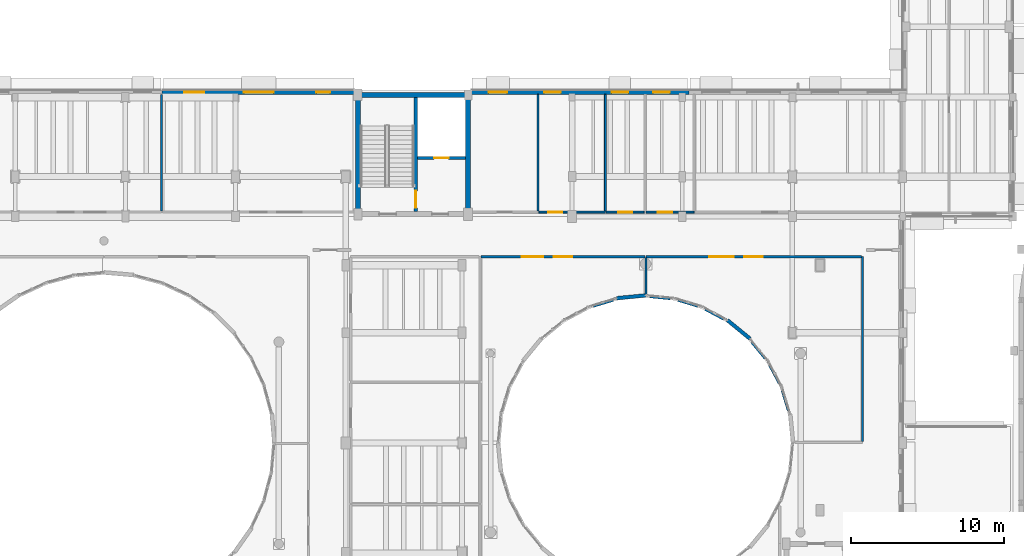
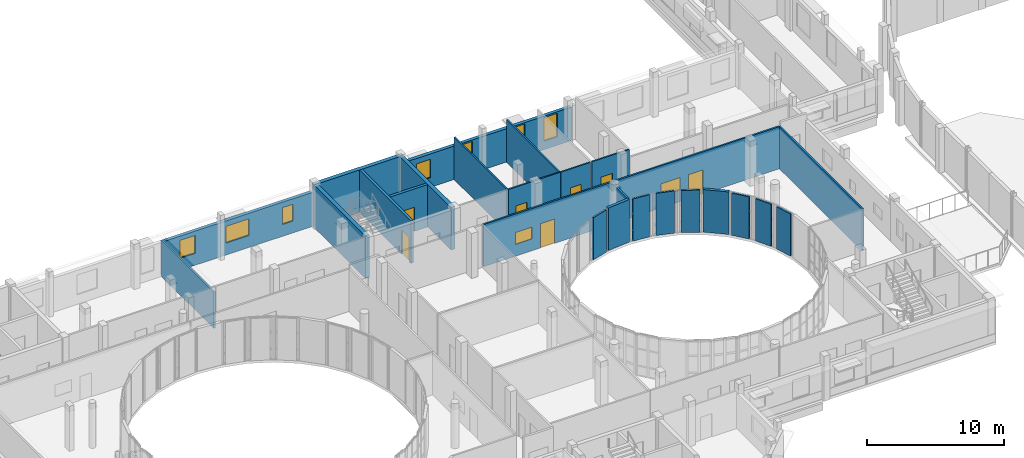
# One storey, part 71 of 89: 26 walls, 9 windows, 7 doors, 16 openings.
"""IFC4 building model written with IfcOpenShell, lengths in metres."""

from ifc_helpers import new_model, si_unit, direction, frame, frame_2d, origin, place, context, subcontext, project, spatial, rectangle, extrude, material, layer, layer_set, type_object, element, fill, save


model = new_model("IFC4")

# Units and contexts
model_context = context("Model", 3, precision=1e-05, world=origin(), true_north=direction((0.0, 1.0)))
body_context = subcontext(model_context, "Body", "Model", "MODEL_VIEW")
ifc_project = project(units=[si_unit("LENGTHUNIT", "METRE"), si_unit("AREAUNIT", "SQUARE_METRE"), si_unit("VOLUMEUNIT", "CUBIC_METRE"), si_unit("PLANEANGLEUNIT", "RADIAN"), si_unit("MASSUNIT", "GRAM", prefix="KILO")], contexts=[model_context])

# Site, building, storey
site_placement = place(None, origin())
site = spatial("IfcSite", under=ifc_project, at=site_placement, CompositionType="ELEMENT")
building_placement = place(site_placement, origin())
building = spatial("IfcBuilding", under=site, at=building_placement, Name="Kelanivale Promenade Academy", CompositionType="ELEMENT")
storey_placement = place(building_placement, frame((0.0, 0.0, 12.199951171875)))
storey = spatial("IfcBuildingStorey", under=building, at=storey_placement, Name="L03", CompositionType="ELEMENT", Elevation=12.199951171875)

# Walls
ifc_material_1 = material(Name="Concrete C40/50", Category="concrete")
ifc_layer_1 = layer(ifc_material_1, 0.330078125)
ifc_layer_set_1 = layer_set([ifc_layer_1], Name="Concrete C40/50")
wall_type_1 = type_object("IfcWallType", Name="CW-S1 Wall 330mm", PredefinedType="SHEAR", material=ifc_layer_set_1)
wall_1_placement = place(storey_placement, frame((79.8349609375, 79.550048828125, 0.0), z_axis=(0.0, 0.0, 1.0), x_axis=(1.0, 0.0, 0.0)))
element("IfcWall", 1, at=wall_1_placement, inside=storey, type_object=wall_type_1, Name="CORE-2 RC shear wall N L03", PredefinedType="SHEAR", context=body_context, shape_type="SweptSolid", body=[
    extrude(rectangle(XDim=7.530029296875, YDim=0.330078125, at=frame_2d((3.76513671875, 0.0))), origin(), (0.0, 0.0, 1.0), 3.780029296875),
])
for number, where, z_axis, x_axis, name in (
    (2, (80.0, 71.9150390625, 0.0), (0.0, 0.0, 1.0), (0.0, 1.0, 0.0), "CORE-2 RC shear wall W L03"),
    (3, (87.199951171875, 71.9150390625, 0.0), (0.0, 0.0, 1.0), (0.0, 1.0, 0.0), "CORE-2 RC shear wall E L03"),
):
    element("IfcWall", number, at=place(storey_placement, frame(where, z_axis=z_axis, x_axis=x_axis)), inside=storey, type_object=wall_type_1, Name=name, PredefinedType="SHEAR", context=body_context, shape_type="SweptSolid", body=[
        extrude(rectangle(XDim=7.469970703125, YDim=0.330078125, at=frame_2d((3.73486328125, 0.0))), origin(), (0.0, 0.0, 1.0), 3.780029296875),
    ])

# Wall, opening, door
ifc_layer_2 = layer(ifc_material_1, 0.22509765625)
ifc_layer_set_2 = layer_set([ifc_layer_2], Name="Concrete C40/50")
wall_type_2 = type_object("IfcWallType", Name="CW-S2 Wall 225mm", PredefinedType="SHEAR", material=ifc_layer_set_2)
wall_2_placement = place(storey_placement, frame((83.885009765625, 75.419921875, 0.0), z_axis=(0.0, 0.0, 1.0), x_axis=(1.0, 0.0, 0.0)))
wall_2 = element("IfcWall", 4, at=wall_2_placement, inside=storey, type_object=wall_type_2, Name="CORE-2 lift shaft front RC wall L03", PredefinedType="SHEAR", context=body_context, shape_type="SweptSolid", body=[
    extrude(rectangle(XDim=3.14990234375, YDim=0.22509765625, at=frame_2d((1.574951171875, 0.0))), origin(), (0.0, 0.0, 1.0), 3.780029296875),
])
opening_1_placement = place(wall_2_placement, frame((1.10009765625, 0.0, 0.0)))
opening_1 = element("IfcOpeningElement", 5, at=opening_1_placement, cuts=wall_2, Name="Opening LD-LF-FF2-L03", PredefinedType="OPENING", context=body_context, shape_type="SweptSolid", body=[
    extrude(rectangle(XDim=0.949951171875, YDim=2.14990234375, at=frame_2d((0.47509765625, 1.074951171875))), frame((0.0, 0.12255859375, 0.0), z_axis=(0.0, -1.0, 0.0), x_axis=(1.0, 0.0, 0.0)), (0.0, 0.0, 1.0), 0.2451171875),
])
ifc_material_2 = material(Name="Fire-rated steel-core teak veneer", Category="steel")
door_type_1 = type_object("IfcDoorType", Name="LD-FF1 Door 950x2150", OperationType="NOTDEFINED", PredefinedType="DOOR", material=ifc_material_2)
door_1_placement = place(opening_1_placement, origin())
door_1 = element("IfcDoor", 6, at=door_1_placement, inside=storey, type_object=door_type_1, Name="Firefighting lift landing door LD-LF-FF2-L03", OperationType="SLIDING_TO_LEFT", OverallHeight=2.14990234375, OverallWidth=0.949951171875, PredefinedType="DOOR", context=body_context, shape_type="SweptSolid", body=[
    extrude(rectangle(XDim=0.949951171875, YDim=2.14990234375, at=frame_2d((0.47509765625, 1.074951171875))), frame((0.0, 0.02490234375, 0.0), z_axis=(0.0, -1.0, 0.0), x_axis=(1.0, 0.0, 0.0)), (0.0, 0.0, 1.0), 0.050048828125),
])
fill(opening_1, door_1)

ifc_layer_3 = layer(ifc_material_1, 0.219970703125)
ifc_layer_set_3 = layer_set([ifc_layer_3], Name="Concrete C40/50")
wall_type_3 = type_object("IfcWallType", Name="CW-S3 Wall 220mm", PredefinedType="SHEAR", material=ifc_layer_set_3)
wall_3_placement = place(storey_placement, frame((83.77490234375, 71.9150390625, 0.0), z_axis=(0.0, 0.0, 1.0), x_axis=(0.0, 1.0, 0.0)))
wall_3 = element("IfcWall", 7, at=wall_3_placement, inside=storey, type_object=wall_type_3, Name="CORE-2 stair-lobby dividing RC wall L03", PredefinedType="SHEAR", context=body_context, shape_type="SweptSolid", body=[
    extrude(rectangle(XDim=7.469970703125, YDim=0.219970703125, at=frame_2d((3.73486328125, 0.0))), origin(), (0.0, 0.0, 1.0), 3.780029296875),
])
opening_2_placement = place(wall_3_placement, frame((0.25, 0.0, 0.0)))
opening_2 = element("IfcOpeningElement", 8, at=opening_2_placement, cuts=wall_3, Name="Opening FD-CORE-2-SL-L03", PredefinedType="OPENING", context=body_context, shape_type="SweptSolid", body=[
    extrude(rectangle(XDim=1.10009765625, YDim=2.14990234375, at=frame_2d((0.550048828125, 1.074951171875))), frame((0.0, 0.1201171875, 0.0), z_axis=(0.0, -1.0, 0.0), x_axis=(1.0, 0.0, 0.0)), (0.0, 0.0, 1.0), 0.239990234375),
])
door_type_2 = type_object("IfcDoorType", Name="DT-F01 Door 1100x2150", OperationType="NOTDEFINED", PredefinedType="DOOR", material=ifc_material_2)
door_2_placement = place(opening_2_placement, origin())
door_2 = element("IfcDoor", 9, at=door_2_placement, inside=storey, type_object=door_type_2, Name="CORE-2 lobby-to-stair fire door L03", OperationType="SINGLE_SWING_RIGHT", OverallHeight=2.14990234375, OverallWidth=1.10009765625, PredefinedType="DOOR", context=body_context, shape_type="SweptSolid", body=[
    extrude(rectangle(XDim=1.10009765625, YDim=2.14990234375, at=frame_2d((0.550048828125, 1.074951171875))), frame((0.0, 0.02490234375, 0.0), z_axis=(0.0, -1.0, 0.0), x_axis=(1.0, 0.0, 0.0)), (0.0, 0.0, 1.0), 0.050048828125),
])
fill(opening_2, door_2)

# Wall, openings, windows
ifc_material_3 = material(Name="Insulated ivory stucco masonry wall 280 mm", Category="masonry")
ifc_layer_4 = layer(ifc_material_3, 0.280029296875)
ifc_layer_set_4 = layer_set([ifc_layer_4], Name="Insulated ivory stucco masonry wall 280 mm")
wall_type_4 = type_object("IfcWallType", Name="EW-02 Wall 280mm", PredefinedType="SOLIDWALL", material=ifc_layer_set_4)
wall_4_placement = place(storey_placement, frame((101.623046875, 79.7099609375, 0.0), z_axis=(0.0, 0.0, 1.0), x_axis=(-1.0, 0.0, 0.0)))
wall_4 = element("IfcWall", 10, at=wall_4_placement, inside=storey, type_object=wall_type_4, Name="L03 exterior facade wall EW-L03-ORT-0487", PredefinedType="SOLIDWALL", context=body_context, shape_type="SweptSolid", body=[
    extrude(rectangle(XDim=14.258056640625, YDim=0.280029296875, at=frame_2d((7.12890625, 0.0))), origin(), (0.0, 0.0, 1.0), 2.97509765625),
])
opening_3_placement = place(wall_4_placement, frame((1.23193359375, 0.0, 0.75)))
opening_3 = element("IfcOpeningElement", 11, at=opening_3_placement, cuts=wall_4, Name="Opening WT-17", PredefinedType="OPENING", context=body_context, shape_type="SweptSolid", body=[
    extrude(rectangle(XDim=1.10009765625, YDim=2.10009765625, at=frame_2d((0.550048828125, 1.050048828125))), frame((0.0, 0.14990234375, 0.0), z_axis=(0.0, -1.0, 0.0), x_axis=(1.0, 0.0, 0.0)), (0.0, 0.0, 1.0), 0.300048828125),
])
opening_4_placement = place(wall_4_placement, frame((3.947021484375, 0.0, 0.75)))
opening_4 = element("IfcOpeningElement", 12, at=opening_4_placement, cuts=wall_4, Name="Opening WT-17", PredefinedType="OPENING", context=body_context, shape_type="SweptSolid", body=[
    extrude(rectangle(XDim=1.10009765625, YDim=2.10009765625, at=frame_2d((0.550048828125, 1.050048828125))), frame((0.0, 0.14990234375, 0.0), z_axis=(0.0, -1.0, 0.0), x_axis=(1.0, 0.0, 0.0)), (0.0, 0.0, 1.0), 0.300048828125),
])
opening_5_placement = place(wall_4_placement, frame((8.361083984375, 0.0, 0.75)))
opening_5 = element("IfcOpeningElement", 13, at=opening_5_placement, cuts=wall_4, Name="Opening WT-17", PredefinedType="OPENING", context=body_context, shape_type="SweptSolid", body=[
    extrude(rectangle(XDim=1.10009765625, YDim=2.10009765625, at=frame_2d((0.550048828125, 1.050048828125))), frame((0.0, 0.14990234375, 0.0), z_axis=(0.0, -1.0, 0.0), x_axis=(1.0, 0.0, 0.0)), (0.0, 0.0, 1.0), 0.300048828125),
])
opening_6_placement = place(wall_4_placement, frame((11.8759765625, 0.0, 0.85009765625)))
opening_6 = element("IfcOpeningElement", 14, at=opening_6_placement, cuts=wall_4, Name="Opening WT-05", PredefinedType="OPENING", context=body_context, shape_type="SweptSolid", body=[
    extrude(rectangle(XDim=1.199951171875, YDim=1.64990234375, at=frame_2d((0.60009765625, 0.824951171875))), frame((0.0, 0.14990234375, 0.0), z_axis=(0.0, -1.0, 0.0), x_axis=(1.0, 0.0, 0.0)), (0.0, 0.0, 1.0), 0.300048828125),
])
ifc_material_4 = material(Name="Bronze anodised aluminium frame with low-E laminated glass", Category="aluminium")
window_type_1 = type_object("IfcWindowType", Name="WT-05 Window 1200x1650", PartitioningType="SINGLE_PANEL", PredefinedType="WINDOW", material=ifc_material_4)
window_1_placement = place(opening_6_placement, origin())
window_1 = element("IfcWindow", 15, at=window_1_placement, inside=storey, type_object=window_type_1, Name="Window WT-05", OverallHeight=1.64990234375, OverallWidth=1.199951171875, PartitioningType="SINGLE_PANEL", PredefinedType="WINDOW", context=body_context, shape_type="SweptSolid", body=[
    extrude(rectangle(XDim=1.199951171875, YDim=1.64990234375, at=frame_2d((0.60009765625, 0.824951171875))), frame((0.0, 0.030029296875, 0.0), z_axis=(0.0, -1.0, 0.0), x_axis=(1.0, 0.0, 0.0)), (0.0, 0.0, 1.0), 0.06005859375),
])
fill(opening_6, window_1)
window_type_2 = type_object("IfcWindowType", Name="WT-17 Window 1100x2100", PartitioningType="SINGLE_PANEL", PredefinedType="WINDOW", material=ifc_material_4)
window_2_placement = place(opening_3_placement, origin())
window_2 = element("IfcWindow", 16, at=window_2_placement, inside=storey, type_object=window_type_2, Name="Window WT-17", OverallHeight=2.10009765625, OverallWidth=1.10009765625, PartitioningType="SINGLE_PANEL", PredefinedType="WINDOW", context=body_context, shape_type="SweptSolid", body=[
    extrude(rectangle(XDim=1.10009765625, YDim=2.10009765625, at=frame_2d((0.550048828125, 1.050048828125))), frame((0.0, 0.030029296875, 0.0), z_axis=(0.0, -1.0, 0.0), x_axis=(1.0, 0.0, 0.0)), (0.0, 0.0, 1.0), 0.06005859375),
])
fill(opening_3, window_2)
window_3_placement = place(opening_4_placement, origin())
window_3 = element("IfcWindow", 17, at=window_3_placement, inside=storey, type_object=window_type_2, Name="Window WT-17", OverallHeight=2.10009765625, OverallWidth=1.10009765625, PartitioningType="SINGLE_PANEL", PredefinedType="WINDOW", context=body_context, shape_type="SweptSolid", body=[
    extrude(rectangle(XDim=1.10009765625, YDim=2.10009765625, at=frame_2d((0.550048828125, 1.050048828125))), frame((0.0, 0.030029296875, 0.0), z_axis=(0.0, -1.0, 0.0), x_axis=(1.0, 0.0, 0.0)), (0.0, 0.0, 1.0), 0.06005859375),
])
fill(opening_4, window_3)
window_4_placement = place(opening_5_placement, origin())
window_4 = element("IfcWindow", 18, at=window_4_placement, inside=storey, type_object=window_type_2, Name="Window WT-17", OverallHeight=2.10009765625, OverallWidth=1.10009765625, PartitioningType="SINGLE_PANEL", PredefinedType="WINDOW", context=body_context, shape_type="SweptSolid", body=[
    extrude(rectangle(XDim=1.10009765625, YDim=2.10009765625, at=frame_2d((0.550048828125, 1.050048828125))), frame((0.0, 0.030029296875, 0.0), z_axis=(0.0, -1.0, 0.0), x_axis=(1.0, 0.0, 0.0)), (0.0, 0.0, 1.0), 0.06005859375),
])
fill(opening_5, window_4)

wall_5_placement = place(storey_placement, frame((79.8349609375, 79.7099609375, 0.0), z_axis=(0.0, 0.0, 1.0), x_axis=(-1.0, 0.0, 0.0)))
wall_5 = element("IfcWall", 19, at=wall_5_placement, inside=storey, type_object=wall_type_4, Name="L03 exterior facade wall EW-L03-ORT-0488", PredefinedType="SOLIDWALL", context=body_context, shape_type="SweptSolid", body=[
    extrude(rectangle(XDim=12.635009765625, YDim=0.280029296875, at=frame_2d((6.3173828125, 0.0))), origin(), (0.0, 0.0, 1.0), 3.025146484375),
])
opening_7_placement = place(wall_5_placement, frame((1.656005859375, 0.0, 1.050048828125)))
opening_7 = element("IfcOpeningElement", 20, at=opening_7_placement, cuts=wall_5, Name="Opening WT-06", PredefinedType="OPENING", context=body_context, shape_type="SweptSolid", body=[
    extrude(rectangle(XDim=0.89990234375, YDim=1.5, at=frame_2d((0.449951171875, 0.75))), frame((0.0, 0.14990234375, 0.0), z_axis=(0.0, -1.0, 0.0), x_axis=(1.0, 0.0, 0.0)), (0.0, 0.0, 1.0), 0.300048828125),
])
opening_8_placement = place(wall_5_placement, frame((5.342041015625, 0.0, 1.050048828125)))
opening_8 = element("IfcOpeningElement", 21, at=opening_8_placement, cuts=wall_5, Name="Opening WT-22", PredefinedType="OPENING", context=body_context, shape_type="SweptSolid", body=[
    extrude(rectangle(XDim=1.949951171875, YDim=1.5, at=frame_2d((0.97509765625, 0.75))), frame((0.0, 0.14990234375, 0.0), z_axis=(0.0, -1.0, 0.0), x_axis=(1.0, 0.0, 0.0)), (0.0, 0.0, 1.0), 0.300048828125),
])
opening_9_placement = place(wall_5_placement, frame((9.87890625, 0.0, 1.050048828125)))
opening_9 = element("IfcOpeningElement", 22, at=opening_9_placement, cuts=wall_5, Name="Opening WT-23", PredefinedType="OPENING", context=body_context, shape_type="SweptSolid", body=[
    extrude(rectangle(XDim=1.300048828125, YDim=1.60009765625, at=frame_2d((0.64990234375, 0.800048828125))), frame((0.0, 0.14990234375, 0.0), z_axis=(0.0, -1.0, 0.0), x_axis=(1.0, 0.0, 0.0)), (0.0, 0.0, 1.0), 0.300048828125),
])
window_type_3 = type_object("IfcWindowType", Name="WT-06 Window 900x1500", PartitioningType="SINGLE_PANEL", PredefinedType="WINDOW", material=ifc_material_4)
window_5_placement = place(opening_7_placement, origin())
window_5 = element("IfcWindow", 23, at=window_5_placement, inside=storey, type_object=window_type_3, Name="Window WT-06", OverallHeight=1.5, OverallWidth=0.89990234375, PartitioningType="SINGLE_PANEL", PredefinedType="WINDOW", context=body_context, shape_type="SweptSolid", body=[
    extrude(rectangle(XDim=0.89990234375, YDim=1.5, at=frame_2d((0.449951171875, 0.75))), frame((0.0, 0.030029296875, 0.0), z_axis=(0.0, -1.0, 0.0), x_axis=(1.0, 0.0, 0.0)), (0.0, 0.0, 1.0), 0.06005859375),
])
fill(opening_7, window_5)
window_type_4 = type_object("IfcWindowType", Name="WT-22 Window 1950x1500", PartitioningType="SINGLE_PANEL", PredefinedType="WINDOW", material=ifc_material_4)
window_6_placement = place(opening_8_placement, origin())
window_6 = element("IfcWindow", 24, at=window_6_placement, inside=storey, type_object=window_type_4, Name="Window WT-22", OverallHeight=1.5, OverallWidth=1.949951171875, PartitioningType="SINGLE_PANEL", PredefinedType="WINDOW", context=body_context, shape_type="SweptSolid", body=[
    extrude(rectangle(XDim=1.949951171875, YDim=1.5, at=frame_2d((0.97509765625, 0.75))), frame((0.0, 0.030029296875, 0.0), z_axis=(0.0, -1.0, 0.0), x_axis=(1.0, 0.0, 0.0)), (0.0, 0.0, 1.0), 0.06005859375),
])
fill(opening_8, window_6)
window_type_5 = type_object("IfcWindowType", Name="WT-23 Window 1300x1600", PartitioningType="SINGLE_PANEL", PredefinedType="WINDOW", material=ifc_material_4)
window_7_placement = place(opening_9_placement, origin())
window_7 = element("IfcWindow", 25, at=window_7_placement, inside=storey, type_object=window_type_5, Name="Window WT-23", OverallHeight=1.60009765625, OverallWidth=1.300048828125, PartitioningType="SINGLE_PANEL", PredefinedType="WINDOW", context=body_context, shape_type="SweptSolid", body=[
    extrude(rectangle(XDim=1.300048828125, YDim=1.60009765625, at=frame_2d((0.64990234375, 0.800048828125))), frame((0.0, 0.030029296875, 0.0), z_axis=(0.0, -1.0, 0.0), x_axis=(1.0, 0.0, 0.0)), (0.0, 0.0, 1.0), 0.06005859375),
])
fill(opening_9, window_7)

# Walls
ifc_material_5 = material(Name="Insulated courtyard stucco masonry wall 240 mm", Category="masonry")
ifc_layer_5 = layer(ifc_material_5, 0.239990234375)
ifc_layer_set_5 = layer_set([ifc_layer_5], Name="Insulated courtyard stucco masonry wall 240 mm")
wall_type_5 = type_object("IfcWallType", Name="EW-04 Wall 240mm", PredefinedType="SOLIDWALL", material=ifc_layer_set_5)
wall_6_placement = place(storey_placement, frame((105.6259765625, 63.610107421875, 0.0), z_axis=(0.0, 0.0, 1.0), x_axis=(-0.773034836299, 0.634363572305, 0.0)))
element("IfcWall", 26, at=wall_6_placement, inside=storey, type_object=wall_type_5, Name="L03 round courtyard stucco wall", PredefinedType="SOLIDWALL", context=body_context, shape_type="SweptSolid", body=[
    extrude(rectangle(XDim=1.911865234375, YDim=0.239990234375, at=frame_2d((0.9560546875, 0.0))), origin(), (0.0, 0.0, 1.0), 3.780029296875),
])
wall_7_placement = place(storey_placement, frame((98.81103515625, 66.44091796875, 0.0), z_axis=(0.0, 0.0, 1.0), x_axis=(-0.995206378086, -0.097797060374, 0.0)))
element("IfcWall", 27, at=wall_7_placement, inside=storey, type_object=wall_type_5, Name="L03 round courtyard stucco wall", PredefinedType="SOLIDWALL", context=body_context, shape_type="SweptSolid", body=[
    extrude(rectangle(XDim=1.912353515625, YDim=0.239990234375, at=frame_2d((0.9560546875, 0.0))), origin(), (0.0, 0.0, 1.0), 3.780029296875),
])
ifc_material_6 = material(Name="Acoustic double-stud gypsum board partition 140 mm", Category="masonry")
ifc_layer_6 = layer(ifc_material_6, 0.139892578125)
ifc_layer_set_6 = layer_set([ifc_layer_6], Name="Acoustic double-stud gypsum board partition 140 mm")
wall_type_6 = type_object("IfcWallType", Name="IW-04 Wall 140mm", PredefinedType="PARTITIONING", material=ifc_layer_set_6)
for number, where, z_axis, x_axis, name in (
    (28, (105.73193359375, 63.366943359375, 0.0), (0.0, 0.0, 1.0), (0.634539898886, -0.772890106497, 0.0), "L03 partition Art Studio East B"),
    (29, (106.8798828125, 61.887939453125, 0.0), (0.0, 0.0, 1.0), (0.471017734614, -0.882123740571, 0.0), "L03 partition Art Studio East B"),
):
    element("IfcWall", number, at=place(storey_placement, frame(where, z_axis=z_axis, x_axis=x_axis)), inside=storey, type_object=wall_type_6, Name=name, PredefinedType="PARTITIONING", context=body_context, shape_type="SweptSolid", body=[
        extrude(rectangle(XDim=1.35693359375, YDim=0.139892578125, at=frame_2d((0.678466796875, 0.0))), origin(), (0.0, 0.0, 1.0), 3.755126953125),
    ])
wall_8_placement = place(storey_placement, frame((107.717041015625, 60.214111328125, 0.0), z_axis=(0.0, 0.0, 1.0), x_axis=(0.290266939661, -0.956945716193, 0.0)))
element("IfcWall", 30, at=wall_8_placement, inside=storey, type_object=wall_type_6, Name="L03 partition Art Studio East B", PredefinedType="PARTITIONING", context=body_context, shape_type="SweptSolid", body=[
    extrude(rectangle(XDim=1.357421875, YDim=0.139892578125, at=frame_2d((0.6787109375, 0.0))), origin(), (0.0, 0.0, 1.0), 3.755126953125),
])
wall_9_placement = place(storey_placement, frame((112.969970703125, 56.89794921875, 0.0), z_axis=(0.0, 0.0, 1.0), x_axis=(0.0, 1.0, 0.0)))
element("IfcWall", 31, at=wall_9_placement, inside=storey, type_object=wall_type_6, Name="L03 partition Art Studio East B", PredefinedType="PARTITIONING", context=body_context, shape_type="SweptSolid", body=[
    extrude(rectangle(XDim=12.072021484375, YDim=0.139892578125, at=frame_2d((6.0361328125, 0.0))), origin(), (0.0, 0.0, 1.0), 3.755126953125),
])

# Wall, openings, door, window
wall_10_placement = place(storey_placement, frame((112.902099609375, 68.969970703125, 0.0), z_axis=(0.0, 0.0, 1.0), x_axis=(-1.0, 0.0, 0.0)))
wall_10 = element("IfcWall", 32, at=wall_10_placement, inside=storey, type_object=wall_type_6, Name="L03 partition Art Studio East B", PredefinedType="PARTITIONING", context=body_context, shape_type="SweptSolid", body=[
    extrude(rectangle(XDim=14.072021484375, YDim=0.139892578125, at=frame_2d((7.0361328125, 0.0))), origin(), (0.0, 0.0, 1.0), 3.755126953125),
])
opening_10_placement = place(wall_10_placement, frame((6.43603515625, 0.0, 0.0)))
opening_10 = element("IfcOpeningElement", 33, at=opening_10_placement, cuts=wall_10, Name="Opening ID-L03-158", PredefinedType="OPENING", context=body_context, shape_type="SweptSolid", body=[
    extrude(rectangle(XDim=1.199951171875, YDim=2.14990234375, at=frame_2d((0.60009765625, 1.074951171875))), frame((0.0, 0.080078125, 0.0), z_axis=(0.0, -1.0, 0.0), x_axis=(1.0, 0.0, 0.0)), (0.0, 0.0, 1.0), 0.159912109375),
])
opening_11_placement = place(wall_10_placement, frame((8.3359375, 0.0, 1.050048828125)))
opening_11 = element("IfcOpeningElement", 34, at=opening_11_placement, cuts=wall_10, Name="Opening WT-I01", PredefinedType="OPENING", context=body_context, shape_type="SweptSolid", body=[
    extrude(rectangle(XDim=1.60009765625, YDim=1.10009765625, at=frame_2d((0.800048828125, 0.550048828125))), frame((0.0, 0.080078125, 0.0), z_axis=(0.0, -1.0, 0.0), x_axis=(1.0, 0.0, 0.0)), (0.0, 0.0, 1.0), 0.159912109375),
])
ifc_material_7 = material(Name="Solid-core tropical teak timber", Category="wood")
door_type_3 = type_object("IfcDoorType", Name="DT-I04 Door 1200x2150", OperationType="NOTDEFINED", PredefinedType="DOOR", material=ifc_material_7)
door_3_placement = place(opening_10_placement, origin())
door_3 = element("IfcDoor", 35, at=door_3_placement, inside=storey, type_object=door_type_3, Name="Art Studio East B door ID-L03-158", OperationType="SINGLE_SWING_RIGHT", OverallHeight=2.14990234375, OverallWidth=1.199951171875, PredefinedType="DOOR", context=body_context, shape_type="SweptSolid", body=[
    extrude(rectangle(XDim=1.199951171875, YDim=2.14990234375, at=frame_2d((0.60009765625, 1.074951171875))), frame((0.0, 0.02490234375, 0.0), z_axis=(0.0, -1.0, 0.0), x_axis=(1.0, 0.0, 0.0)), (0.0, 0.0, 1.0), 0.050048828125),
])
fill(opening_10, door_3)
window_type_6 = type_object("IfcWindowType", Name="WT-I01 Window 1600x1100", PartitioningType="SINGLE_PANEL", PredefinedType="WINDOW", material=ifc_material_4)
window_8_placement = place(opening_11_placement, origin())
window_8 = element("IfcWindow", 36, at=window_8_placement, inside=storey, type_object=window_type_6, Name="Interior observation window WT-I01", OverallHeight=1.10009765625, OverallWidth=1.60009765625, PartitioningType="SINGLE_PANEL", PredefinedType="WINDOW", context=body_context, shape_type="SweptSolid", body=[
    extrude(rectangle(XDim=1.60009765625, YDim=1.10009765625, at=frame_2d((0.800048828125, 0.550048828125))), frame((0.0, 0.030029296875, 0.0), z_axis=(0.0, -1.0, 0.0), x_axis=(1.0, 0.0, 0.0)), (0.0, 0.0, 1.0), 0.06005859375),
])
fill(opening_11, window_8)

# Walls
wall_11_placement = place(storey_placement, frame((98.830078125, 68.902099609375, 0.0), z_axis=(0.0, 0.0, 1.0), x_axis=(0.0, -1.0, 0.0)))
element("IfcWall", 37, at=wall_11_placement, inside=storey, type_object=wall_type_6, Name="L03 partition Art Studio East B", PredefinedType="PARTITIONING", context=body_context, shape_type="SweptSolid", body=[
    extrude(rectangle(XDim=2.4560546875, YDim=0.139892578125, at=frame_2d((1.22802734375, 0.0))), origin(), (0.0, 0.0, 1.0), 3.755126953125),
])
wall_12_placement = place(storey_placement, frame((99.076904296875, 66.343017578125, 0.0), z_axis=(0.0, 0.0, 1.0), x_axis=(0.995112801185, -0.098744685517, 0.0)))
element("IfcWall", 38, at=wall_12_placement, inside=storey, type_object=wall_type_6, Name="L03 partition Art Studio East B", PredefinedType="PARTITIONING", context=body_context, shape_type="SweptSolid", body=[
    extrude(rectangle(XDim=1.337646484375, YDim=0.139892578125, at=frame_2d((0.6689453125, 0.0))), origin(), (0.0, 0.0, 1.0), 3.755126953125),
])
wall_13_placement = place(storey_placement, frame((100.9150390625, 66.111083984375, 0.0), z_axis=(0.0, 0.0, 1.0), x_axis=(0.956945716193, -0.290266939661, 0.0)))
element("IfcWall", 39, at=wall_13_placement, inside=storey, type_object=wall_type_6, Name="L03 partition Art Studio East B", PredefinedType="PARTITIONING", context=body_context, shape_type="SweptSolid", body=[
    extrude(rectangle(XDim=1.357421875, YDim=0.139892578125, at=frame_2d((0.6787109375, 0.0))), origin(), (0.0, 0.0, 1.0), 3.755126953125),
])
wall_14_placement = place(storey_placement, frame((102.69091796875, 65.51904296875, 0.0), z_axis=(0.0, 0.0, 1.0), x_axis=(0.882123740571, -0.471017734614, 0.0)))
element("IfcWall", 40, at=wall_14_placement, inside=storey, type_object=wall_type_6, Name="L03 partition Art Studio East B", PredefinedType="PARTITIONING", context=body_context, shape_type="SweptSolid", body=[
    extrude(rectangle(XDim=1.35693359375, YDim=0.139892578125, at=frame_2d((0.678466796875, 0.0))), origin(), (0.0, 0.0, 1.0), 3.755126953125),
])
wall_15_placement = place(storey_placement, frame((95.385986328125, 65.717041015625, 0.0), z_axis=(0.0, 0.0, 1.0), x_axis=(0.956945716193, 0.290266939661, 0.0)))
element("IfcWall", 41, at=wall_15_placement, inside=storey, type_object=wall_type_6, Name="L03 partition Art Studio Courtyard East-North", PredefinedType="PARTITIONING", context=body_context, shape_type="SweptSolid", body=[
    extrude(rectangle(XDim=1.357421875, YDim=0.139892578125, at=frame_2d((0.6787109375, 0.0))), origin(), (0.0, 0.0, 1.0), 3.755126953125),
])

# Wall, openings, door, window
wall_16_placement = place(storey_placement, frame((98.77001953125, 68.969970703125, 0.0), z_axis=(0.0, 0.0, 1.0), x_axis=(-1.0, 0.0, 0.0)))
wall_16 = element("IfcWall", 42, at=wall_16_placement, inside=storey, type_object=wall_type_6, Name="L03 partition Art Studio Courtyard East-North", PredefinedType="PARTITIONING", context=body_context, shape_type="SweptSolid", body=[
    extrude(rectangle(XDim=10.73193359375, YDim=0.139892578125, at=frame_2d((5.365966796875, 0.0))), origin(), (0.0, 0.0, 1.0), 3.755126953125),
])
opening_12_placement = place(wall_16_placement, frame((4.76611328125, 0.0, 0.0)))
opening_12 = element("IfcOpeningElement", 43, at=opening_12_placement, cuts=wall_16, Name="Opening ID-L03-160", PredefinedType="OPENING", context=body_context, shape_type="SweptSolid", body=[
    extrude(rectangle(XDim=1.199951171875, YDim=2.14990234375, at=frame_2d((0.60009765625, 1.074951171875))), frame((0.0, 0.080078125, 0.0), z_axis=(0.0, -1.0, 0.0), x_axis=(1.0, 0.0, 0.0)), (0.0, 0.0, 1.0), 0.159912109375),
])
opening_13_placement = place(wall_16_placement, frame((6.666015625, 0.0, 1.050048828125)))
opening_13 = element("IfcOpeningElement", 44, at=opening_13_placement, cuts=wall_16, Name="Opening WT-I03", PredefinedType="OPENING", context=body_context, shape_type="SweptSolid", body=[
    extrude(rectangle(XDim=1.39990234375, YDim=1.050048828125, at=frame_2d((0.699951171875, 0.52490234375))), frame((0.0, 0.080078125, 0.0), z_axis=(0.0, -1.0, 0.0), x_axis=(1.0, 0.0, 0.0)), (0.0, 0.0, 1.0), 0.159912109375),
])
door_4_placement = place(opening_12_placement, origin())
door_4 = element("IfcDoor", 45, at=door_4_placement, inside=storey, type_object=door_type_3, Name="Art Studio Courtyard East-North door ID-L03-160", OperationType="SINGLE_SWING_RIGHT", OverallHeight=2.14990234375, OverallWidth=1.199951171875, PredefinedType="DOOR", context=body_context, shape_type="SweptSolid", body=[
    extrude(rectangle(XDim=1.199951171875, YDim=2.14990234375, at=frame_2d((0.60009765625, 1.074951171875))), frame((0.0, 0.02490234375, 0.0), z_axis=(0.0, -1.0, 0.0), x_axis=(1.0, 0.0, 0.0)), (0.0, 0.0, 1.0), 0.050048828125),
])
fill(opening_12, door_4)
window_type_7 = type_object("IfcWindowType", Name="WT-I03 Window 1400x1050", PartitioningType="SINGLE_PANEL", PredefinedType="WINDOW", material=ifc_material_4)
window_9_placement = place(opening_13_placement, origin())
window_9 = element("IfcWindow", 46, at=window_9_placement, inside=storey, type_object=window_type_7, Name="Interior observation window WT-I03", OverallHeight=1.050048828125, OverallWidth=1.39990234375, PartitioningType="SINGLE_PANEL", PredefinedType="WINDOW", context=body_context, shape_type="SweptSolid", body=[
    extrude(rectangle(XDim=1.39990234375, YDim=1.050048828125, at=frame_2d((0.699951171875, 0.52490234375))), frame((0.0, 0.030029296875, 0.0), z_axis=(0.0, -1.0, 0.0), x_axis=(1.0, 0.0, 0.0)), (0.0, 0.0, 1.0), 0.06005859375),
])
fill(opening_13, window_9)

# Walls
wall_17_placement = place(storey_placement, frame((67.169921875, 71.947998046875, 0.0), z_axis=(0.0, 0.0, 1.0), x_axis=(0.0, 1.0, 0.0)))
element("IfcWall", 47, at=wall_17_placement, inside=storey, type_object=wall_type_6, Name="L03 partition Secondary Classroom North 1", PredefinedType="PARTITIONING", context=body_context, shape_type="SweptSolid", body=[
    extrude(rectangle(XDim=7.6240234375, YDim=0.139892578125, at=frame_2d((3.81201171875, 0.0))), origin(), (0.0, 0.0, 1.0), 3.22509765625),
])
ifc_material_8 = material(Name="Moisture-resistant masonry wet-room partition 125 mm", Category="masonry")
ifc_layer_7 = layer(ifc_material_8, 0.125)
ifc_layer_set_7 = layer_set([ifc_layer_7], Name="Moisture-resistant masonry wet-room partition 125 mm")
wall_type_7 = type_object("IfcWallType", Name="IW-05 Wall 125mm", PredefinedType="PARTITIONING", material=ifc_layer_set_7)
wall_18_placement = place(storey_placement, frame((91.77001953125, 71.94091796875, 0.0), z_axis=(0.0, 0.0, 1.0), x_axis=(0.0, 1.0, 0.0)))
element("IfcWall", 48, at=wall_18_placement, inside=storey, type_object=wall_type_7, Name="L03 partition Boys Washroom", PredefinedType="PARTITIONING", context=body_context, shape_type="SweptSolid", body=[
    extrude(rectangle(XDim=7.631103515625, YDim=0.125, at=frame_2d((3.8154296875, 0.0))), origin(), (0.0, 0.0, 1.0), 3.775146484375),
])

# Wall, opening, door
wall_19_placement = place(storey_placement, frame((91.830078125, 71.8798828125, 0.0), z_axis=(0.0, 0.0, 1.0), x_axis=(1.0, 0.0, 0.0)))
wall_19 = element("IfcWall", 49, at=wall_19_placement, inside=storey, type_object=wall_type_7, Name="L03 partition Girls Washroom", PredefinedType="PARTITIONING", context=body_context, shape_type="SweptSolid", body=[
    extrude(rectangle(XDim=4.33984375, YDim=0.125, at=frame_2d((2.169921875, 0.0))), origin(), (0.0, 0.0, 1.0), 3.775146484375),
])
opening_14_placement = place(wall_19_placement, frame((0.618896484375, 0.0, 0.0)))
opening_14 = element("IfcOpeningElement", 50, at=opening_14_placement, cuts=wall_19, Name="Opening ID-L03-162", PredefinedType="OPENING", context=body_context, shape_type="SweptSolid", body=[
    extrude(rectangle(XDim=0.89990234375, YDim=2.10009765625, at=frame_2d((0.449951171875, 1.050048828125))), frame((0.0, 0.072509765625, 0.0), z_axis=(0.0, -1.0, 0.0), x_axis=(1.0, 0.0, 0.0)), (0.0, 0.0, 1.0), 0.14501953125),
])
door_type_4 = type_object("IfcDoorType", Name="DT-I06 Door 900x2100", OperationType="NOTDEFINED", PredefinedType="DOOR", material=ifc_material_7)
door_5_placement = place(opening_14_placement, origin())
door_5 = element("IfcDoor", 51, at=door_5_placement, inside=storey, type_object=door_type_4, Name="Girls Washroom door ID-L03-162", OperationType="SINGLE_SWING_RIGHT", OverallHeight=2.10009765625, OverallWidth=0.89990234375, PredefinedType="DOOR", context=body_context, shape_type="SweptSolid", body=[
    extrude(rectangle(XDim=0.89990234375, YDim=2.10009765625, at=frame_2d((0.449951171875, 1.050048828125))), frame((0.0, 0.02490234375, 0.0), z_axis=(0.0, -1.0, 0.0), x_axis=(1.0, 0.0, 0.0)), (0.0, 0.0, 1.0), 0.050048828125),
])
fill(opening_14, door_5)

# Wall
wall_20_placement = place(storey_placement, frame((96.169921875, 71.94091796875, 0.0), z_axis=(0.0, 0.0, 1.0), x_axis=(0.0, 1.0, 0.0)))
element("IfcWall", 52, at=wall_20_placement, inside=storey, type_object=wall_type_7, Name="L03 partition Girls Washroom", PredefinedType="PARTITIONING", context=body_context, shape_type="SweptSolid", body=[
    extrude(rectangle(XDim=7.631103515625, YDim=0.125, at=frame_2d((3.8154296875, 0.0))), origin(), (0.0, 0.0, 1.0), 3.775146484375),
])

# Wall, opening, door
wall_21_placement = place(storey_placement, frame((96.22998046875, 71.8798828125, 0.0), z_axis=(0.0, 0.0, 1.0), x_axis=(1.0, 0.0, 0.0)))
wall_21 = element("IfcWall", 53, at=wall_21_placement, inside=storey, type_object=wall_type_7, Name="L03 partition Staff Washroom", PredefinedType="PARTITIONING", context=body_context, shape_type="SweptSolid", body=[
    extrude(rectangle(XDim=2.47900390625, YDim=0.125, at=frame_2d((1.239501953125, 0.0))), origin(), (0.0, 0.0, 1.0), 3.775146484375),
])
opening_15_placement = place(wall_21_placement, frame((0.7890625, 0.0, 0.0)))
opening_15 = element("IfcOpeningElement", 54, at=opening_15_placement, cuts=wall_21, Name="Opening ID-L03-163", PredefinedType="OPENING", context=body_context, shape_type="SweptSolid", body=[
    extrude(rectangle(XDim=0.89990234375, YDim=2.10009765625, at=frame_2d((0.449951171875, 1.050048828125))), frame((0.0, 0.072509765625, 0.0), z_axis=(0.0, -1.0, 0.0), x_axis=(1.0, 0.0, 0.0)), (0.0, 0.0, 1.0), 0.14501953125),
])
door_6_placement = place(opening_15_placement, origin())
door_6 = element("IfcDoor", 55, at=door_6_placement, inside=storey, type_object=door_type_4, Name="Staff Washroom door ID-L03-163", OperationType="SINGLE_SWING_LEFT", OverallHeight=2.10009765625, OverallWidth=0.89990234375, PredefinedType="DOOR", context=body_context, shape_type="SweptSolid", body=[
    extrude(rectangle(XDim=0.89990234375, YDim=2.10009765625, at=frame_2d((0.449951171875, 1.050048828125))), frame((0.0, 0.02490234375, 0.0), z_axis=(0.0, -1.0, 0.0), x_axis=(1.0, 0.0, 0.0)), (0.0, 0.0, 1.0), 0.050048828125),
])
fill(opening_15, door_6)

wall_22_placement = place(storey_placement, frame((98.8310546875, 71.8798828125, 0.0), z_axis=(0.0, 0.0, 1.0), x_axis=(1.0, 0.0, 0.0)))
wall_22 = element("IfcWall", 56, at=wall_22_placement, inside=storey, type_object=wall_type_7, Name="L03 partition Wheelchair Accessible WC", PredefinedType="PARTITIONING", context=body_context, shape_type="SweptSolid", body=[
    extrude(rectangle(XDim=3.138916015625, YDim=0.125, at=frame_2d((1.5693359375, 0.0))), origin(), (0.0, 0.0, 1.0), 3.775146484375),
])
opening_16_placement = place(wall_22_placement, frame((0.76611328125, 0.0, 0.0)))
opening_16 = element("IfcOpeningElement", 57, at=opening_16_placement, cuts=wall_22, Name="Opening ID-L03-164", PredefinedType="OPENING", context=body_context, shape_type="SweptSolid", body=[
    extrude(rectangle(XDim=0.949951171875, YDim=2.14990234375, at=frame_2d((0.47509765625, 1.074951171875))), frame((0.0, 0.072509765625, 0.0), z_axis=(0.0, -1.0, 0.0), x_axis=(1.0, 0.0, 0.0)), (0.0, 0.0, 1.0), 0.14501953125),
])
door_type_5 = type_object("IfcDoorType", Name="DT-I05 Door 950x2150", OperationType="NOTDEFINED", PredefinedType="DOOR", material=ifc_material_7)
door_7_placement = place(opening_16_placement, frame((0.949951171875, 0.0, 0.0), z_axis=(0.0, 0.0, 1.0), x_axis=(-1.0, 0.0, 0.0)))
door_7 = element("IfcDoor", 58, at=door_7_placement, inside=storey, type_object=door_type_5, Name="Wheelchair Accessible WC door ID-L03-164", OperationType="SINGLE_SWING_RIGHT", OverallHeight=2.14990234375, OverallWidth=0.949951171875, PredefinedType="DOOR", context=body_context, shape_type="SweptSolid", body=[
    extrude(rectangle(XDim=0.949951171875, YDim=2.14990234375, at=frame_2d((0.47509765625, 1.074951171875))), frame((0.0, 0.02490234375, 0.0), z_axis=(0.0, -1.0, 0.0), x_axis=(1.0, 0.0, 0.0)), (0.0, 0.0, 1.0), 0.050048828125),
])
fill(opening_16, door_7)

save(model, "model.ifc")
